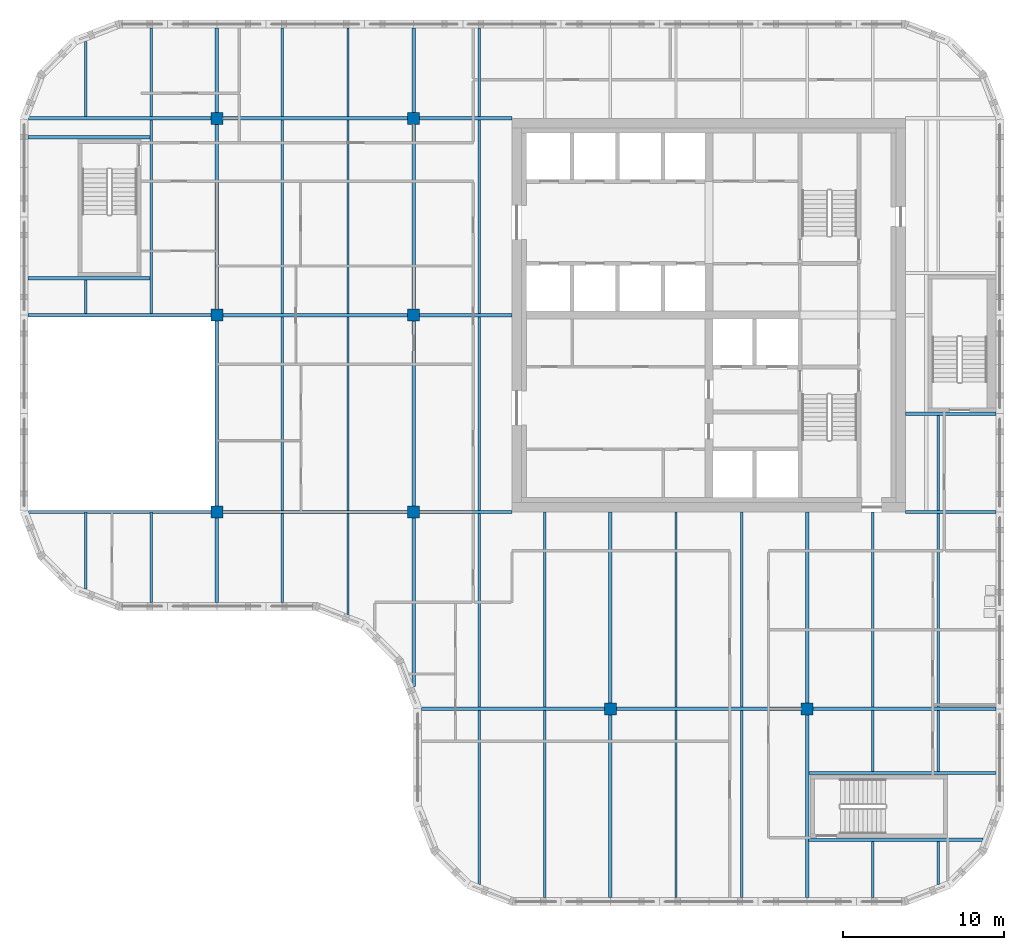
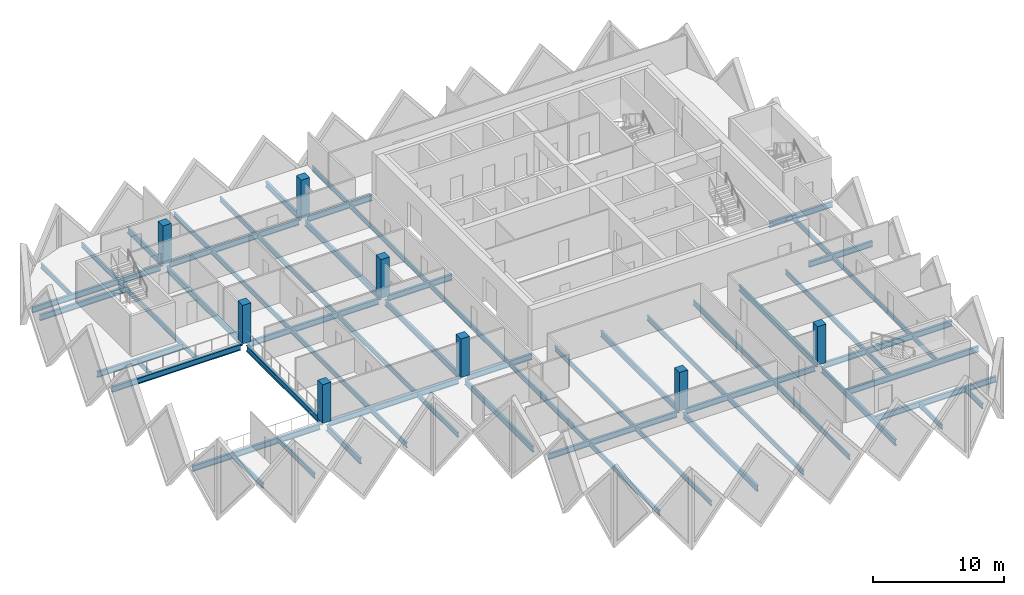
# One storey, part 1 of 12: 62 beams, 8 columns.
"""IFC4 building model written with IfcOpenShell, lengths in metres."""

from ifc_helpers import new_model, si_unit, direction, frame, origin, origin_2d, place, context, subcontext, project, spatial, rectangle, i_section, extrude, material, material_profile, profile_set, type_object, element, save


model = new_model("IFC4")

# Units and contexts
model_context = context("Model", 3, precision=1e-05, world=origin(), true_north=direction((0.0, 1.0)))
body_context = subcontext(model_context, "Body", "Model", "MODEL_VIEW")
ifc_project = project(units=[si_unit("LENGTHUNIT", "METRE"), si_unit("AREAUNIT", "SQUARE_METRE"), si_unit("VOLUMEUNIT", "CUBIC_METRE"), si_unit("PLANEANGLEUNIT", "RADIAN"), si_unit("MASSUNIT", "GRAM", prefix="KILO")], contexts=[model_context])

# Site, building, storey
site_placement = place(None, origin())
site = spatial("IfcSite", under=ifc_project, at=site_placement, CompositionType="ELEMENT")
building_placement = place(site_placement, origin())
building = spatial("IfcBuilding", under=site, at=building_placement, Name="Tessera Gate Towers", CompositionType="ELEMENT")
storey_placement = place(building_placement, frame((0.0, 0.0, 178.199951171875)))
storey = spatial("IfcBuildingStorey", under=building, at=storey_placement, Name="L44", CompositionType="ELEMENT", Elevation=178.199951171875)

# Columns
ifc_material_1 = material(Name="Concrete C70/85", Category="concrete")
ifc_material_profile_1 = material_profile(ifc_material_1, rectangle(XDim=0.75, YDim=0.75, at=origin_2d()), Name="RC 750x750")
ifc_profile_set_1 = profile_set([ifc_material_profile_1], Name="Concrete C70/85")
column_type = type_object("IfcColumnType", Name="COLUMN RC 750x750", PredefinedType="COLUMN", material=ifc_profile_set_1)
for number, where, z_axis, x_axis, name in (
    (1, (12.199951171875, 24.39990234375, 0.0), (0.0, 0.0, 1.0), (1.0, 0.0, 0.0), "T1-COL-2C-L44"),
    (2, (12.199951171875, 36.60009765625, 0.0), (0.0, 0.0, 1.0), (1.0, 0.0, 0.0), "T1-COL-2D-L44"),
    (3, (12.199951171875, 48.800048828125, 0.0), (0.0, 0.0, 1.0), (1.0, 0.0, 0.0), "T1-COL-2E-L44"),
    (4, (24.39990234375, 24.39990234375, 0.0), (0.0, 0.0, 1.0), (1.0, 0.0, 0.0), "T1-COL-3C-L44"),
    (5, (24.39990234375, 36.60009765625, 0.0), (0.0, 0.0, 1.0), (1.0, 0.0, 0.0), "T1-COL-3D-L44"),
    (6, (24.39990234375, 48.800048828125, 0.0), (0.0, 0.0, 1.0), (1.0, 0.0, 0.0), "T1-COL-3E-L44"),
    (7, (36.60009765625, 12.199951171875, 0.0), (0.0, 0.0, 1.0), (1.0, 0.0, 0.0), "T1-COL-4B-L44"),
    (8, (48.800048828125, 12.199951171875, 0.0), (0.0, 0.0, 1.0), (1.0, 0.0, 0.0), "T1-COL-5B-L44"),
):
    element("IfcColumn", number, at=place(storey_placement, frame(where, z_axis=z_axis, x_axis=x_axis)), inside=storey, type_object=column_type, Name=name, PredefinedType="COLUMN", context=body_context, shape_type="SweptSolid", body=[
        extrude(rectangle(XDim=0.75, YDim=0.75, at=origin_2d()), origin(), (0.0, 0.0, 1.0), 3.60009765625),
    ])

# Beams
ifc_material_2 = material(Name="Steel 350W", Category="steel")
ifc_material_profile_2 = material_profile(ifc_material_2, i_section(OverallWidth=0.208984375, OverallDepth=0.532958984375, WebThickness=0.01025390625, FlangeThickness=0.015625, at=origin_2d()), Name="W530x92")
ifc_profile_set_2 = profile_set([ifc_material_profile_2], Name="Steel 350W")
beam_type_1 = type_object("IfcBeamType", Name="FLOOR GIRDER W530x92", PredefinedType="BEAM", material=ifc_profile_set_2)
beam_1_placement = place(storey_placement, frame((24.89892578125, 12.199951171875, -0.466552734375), z_axis=(1.0, 0.0, 0.0), x_axis=(0.0, 1.0, 0.0)))
element("IfcBeam", 9, at=beam_1_placement, inside=storey, type_object=beam_type_1, Name="T1-GD-L44-4812", PredefinedType="BEAM", context=body_context, shape_type="SweptSolid", body=[
    extrude(i_section(OverallWidth=0.208984375, OverallDepth=0.532958984375, WebThickness=0.01025390625, FlangeThickness=0.015625, at=origin_2d()), origin(), (0.0, 0.0, 1.0), 11.326171875),
])
beam_2_placement = place(storey_placement, frame((36.97509765625, 12.199951171875, -0.466552734375), z_axis=(1.0, 0.0, 0.0), x_axis=(0.0, 1.0, 0.0)))
element("IfcBeam", 10, at=beam_2_placement, inside=storey, type_object=beam_type_1, Name="T1-GD-L44-4813", PredefinedType="BEAM", context=body_context, shape_type="SweptSolid", body=[
    extrude(i_section(OverallWidth=0.208984375, OverallDepth=0.532958984375, WebThickness=0.01025390625, FlangeThickness=0.015625, at=origin_2d()), origin(), (0.0, 0.0, 1.0), 11.449951171875),
])
beam_3_placement = place(storey_placement, frame((49.175048828125, 12.199951171875, -0.466552734375), z_axis=(1.0, 0.0, 0.0), x_axis=(0.0, 1.0, 0.0)))
element("IfcBeam", 11, at=beam_3_placement, inside=storey, type_object=beam_type_1, Name="T1-GD-L44-4814", PredefinedType="BEAM", context=body_context, shape_type="SweptSolid", body=[
    extrude(i_section(OverallWidth=0.208984375, OverallDepth=0.532958984375, WebThickness=0.01025390625, FlangeThickness=0.015625, at=origin_2d()), origin(), (0.0, 0.0, 1.0), 11.325927734375),
])
beam_4_placement = place(storey_placement, frame((0.534912109375, 24.39990234375, -0.466552734375), z_axis=(1.0, 0.0, 0.0), x_axis=(0.0, 1.0, 0.0)))
element("IfcBeam", 12, at=beam_4_placement, inside=storey, type_object=beam_type_1, Name="T1-GD-L44-4815", PredefinedType="BEAM", context=body_context, shape_type="SweptSolid", body=[
    extrude(i_section(OverallWidth=0.208984375, OverallDepth=0.532958984375, WebThickness=0.01025390625, FlangeThickness=0.015625, at=origin_2d()), origin(), (0.0, 0.0, 1.0), 11.2900390625),
])
beam_5_placement = place(storey_placement, frame((12.574951171875, 24.39990234375, -0.466552734375), z_axis=(1.0, 0.0, 0.0), x_axis=(0.0, 1.0, 0.0)))
element("IfcBeam", 13, at=beam_5_placement, inside=storey, type_object=beam_type_1, Name="T1-GD-L44-4816", PredefinedType="BEAM", context=body_context, shape_type="SweptSolid", body=[
    extrude(i_section(OverallWidth=0.208984375, OverallDepth=0.532958984375, WebThickness=0.01025390625, FlangeThickness=0.015625, at=origin_2d()), origin(), (0.0, 0.0, 1.0), 11.449951171875),
])
beam_6_placement = place(storey_placement, frame((24.77490234375, 24.39990234375, -0.466552734375), z_axis=(1.0, 0.0, 0.0), x_axis=(0.0, 1.0, 0.0)))
element("IfcBeam", 14, at=beam_6_placement, inside=storey, type_object=beam_type_1, Name="T1-GD-L44-4817", PredefinedType="BEAM", context=body_context, shape_type="SweptSolid", body=[
    extrude(i_section(OverallWidth=0.208984375, OverallDepth=0.532958984375, WebThickness=0.01025390625, FlangeThickness=0.015625, at=origin_2d()), origin(), (0.0, 0.0, 1.0), 5.72412109375),
])
beam_7_placement = place(storey_placement, frame((54.90087890625, 24.39990234375, -0.466552734375), z_axis=(1.0, 0.0, 0.0), x_axis=(0.0, 1.0, 0.0)))
element("IfcBeam", 15, at=beam_7_placement, inside=storey, type_object=beam_type_1, Name="T1-GD-L44-4818", PredefinedType="BEAM", context=body_context, shape_type="SweptSolid", body=[
    extrude(i_section(OverallWidth=0.208984375, OverallDepth=0.532958984375, WebThickness=0.01025390625, FlangeThickness=0.015625, at=origin_2d()), origin(), (0.0, 0.0, 1.0), 5.60009765625),
])
beam_8_placement = place(storey_placement, frame((0.4990234375, 36.60009765625, -0.466552734375), z_axis=(1.0, 0.0, 0.0), x_axis=(0.0, 1.0, 0.0)))
element("IfcBeam", 16, at=beam_8_placement, inside=storey, type_object=beam_type_1, Name="T1-GD-L44-4819", PredefinedType="BEAM", context=body_context, shape_type="SweptSolid", body=[
    extrude(i_section(OverallWidth=0.208984375, OverallDepth=0.532958984375, WebThickness=0.01025390625, FlangeThickness=0.015625, at=origin_2d()), origin(), (0.0, 0.0, 1.0), 11.325927734375),
])
beam_9_placement = place(storey_placement, frame((12.574951171875, 36.60009765625, -0.466552734375), z_axis=(1.0, 0.0, 0.0), x_axis=(0.0, 1.0, 0.0)))
element("IfcBeam", 17, at=beam_9_placement, inside=storey, type_object=beam_type_1, Name="T1-GD-L44-4820", PredefinedType="BEAM", context=body_context, shape_type="SweptSolid", body=[
    extrude(i_section(OverallWidth=0.208984375, OverallDepth=0.532958984375, WebThickness=0.01025390625, FlangeThickness=0.015625, at=origin_2d()), origin(), (0.0, 0.0, 1.0), 11.449951171875),
])
beam_10_placement = place(storey_placement, frame((24.77490234375, 36.60009765625, -0.466552734375), z_axis=(1.0, 0.0, 0.0), x_axis=(0.0, 1.0, 0.0)))
element("IfcBeam", 18, at=beam_10_placement, inside=storey, type_object=beam_type_1, Name="T1-GD-L44-4821", PredefinedType="BEAM", context=body_context, shape_type="SweptSolid", body=[
    extrude(i_section(OverallWidth=0.208984375, OverallDepth=0.532958984375, WebThickness=0.01025390625, FlangeThickness=0.015625, at=origin_2d()), origin(), (0.0, 0.0, 1.0), 5.72607421875),
])
beam_11_placement = place(storey_placement, frame((0.534912109375, 48.800048828125, -0.466552734375), z_axis=(1.0, 0.0, 0.0), x_axis=(0.0, 1.0, 0.0)))
element("IfcBeam", 19, at=beam_11_placement, inside=storey, type_object=beam_type_1, Name="T1-GD-L44-4823", PredefinedType="BEAM", context=body_context, shape_type="SweptSolid", body=[
    extrude(i_section(OverallWidth=0.208984375, OverallDepth=0.532958984375, WebThickness=0.01025390625, FlangeThickness=0.015625, at=origin_2d()), origin(), (0.0, 0.0, 1.0), 11.2900390625),
])
beam_12_placement = place(storey_placement, frame((12.574951171875, 48.800048828125, -0.466552734375), z_axis=(1.0, 0.0, 0.0), x_axis=(0.0, 1.0, 0.0)))
element("IfcBeam", 20, at=beam_12_placement, inside=storey, type_object=beam_type_1, Name="T1-GD-L44-4824", PredefinedType="BEAM", context=body_context, shape_type="SweptSolid", body=[
    extrude(i_section(OverallWidth=0.208984375, OverallDepth=0.532958984375, WebThickness=0.01025390625, FlangeThickness=0.015625, at=origin_2d()), origin(), (0.0, 0.0, 1.0), 11.449951171875),
])
beam_13_placement = place(storey_placement, frame((24.77490234375, 48.800048828125, -0.466552734375), z_axis=(1.0, 0.0, 0.0), x_axis=(0.0, 1.0, 0.0)))
element("IfcBeam", 21, at=beam_13_placement, inside=storey, type_object=beam_type_1, Name="T1-GD-L44-4825", PredefinedType="BEAM", context=body_context, shape_type="SweptSolid", body=[
    extrude(i_section(OverallWidth=0.208984375, OverallDepth=0.532958984375, WebThickness=0.01025390625, FlangeThickness=0.015625, at=origin_2d()), origin(), (0.0, 0.0, 1.0), 5.72412109375),
])
beam_14_placement = place(storey_placement, frame((12.199951171875, 18.799072265625, -0.466552734375), z_axis=(0.0, 1.0, 0.0), x_axis=(-1.0, 0.0, 0.0)))
element("IfcBeam", 22, at=beam_14_placement, inside=storey, type_object=beam_type_1, Name="T1-GD-L44-4827", PredefinedType="BEAM", context=body_context, shape_type="SweptSolid", body=[
    extrude(i_section(OverallWidth=0.208984375, OverallDepth=0.532958984375, WebThickness=0.01025390625, FlangeThickness=0.015625, at=origin_2d()), origin(), (0.0, 0.0, 1.0), 5.225830078125),
])
beam_15_placement = place(storey_placement, frame((12.199951171875, 24.77490234375, -0.466552734375), z_axis=(0.0, 1.0, 0.0), x_axis=(-1.0, 0.0, 0.0)))
element("IfcBeam", 23, at=beam_15_placement, inside=storey, type_object=beam_type_1, Name="T1-GD-L44-4828", PredefinedType="BEAM", context=body_context, shape_type="SweptSolid", body=[
    extrude(i_section(OverallWidth=0.208984375, OverallDepth=0.532958984375, WebThickness=0.01025390625, FlangeThickness=0.015625, at=origin_2d()), origin(), (0.0, 0.0, 1.0), 11.4501953125),
])
beam_16_placement = place(storey_placement, frame((12.199951171875, 36.97509765625, -0.466552734375), z_axis=(0.0, 1.0, 0.0), x_axis=(-1.0, 0.0, 0.0)))
element("IfcBeam", 24, at=beam_16_placement, inside=storey, type_object=beam_type_1, Name="T1-GD-L44-4829", PredefinedType="BEAM", context=body_context, shape_type="SweptSolid", body=[
    extrude(i_section(OverallWidth=0.208984375, OverallDepth=0.532958984375, WebThickness=0.01025390625, FlangeThickness=0.015625, at=origin_2d()), origin(), (0.0, 0.0, 1.0), 11.449951171875),
])
beam_17_placement = place(storey_placement, frame((12.199951171875, 49.175048828125, -0.466552734375), z_axis=(0.0, 1.0, 0.0), x_axis=(-1.0, 0.0, 0.0)))
element("IfcBeam", 25, at=beam_17_placement, inside=storey, type_object=beam_type_1, Name="T1-GD-L44-4830", PredefinedType="BEAM", context=body_context, shape_type="SweptSolid", body=[
    extrude(i_section(OverallWidth=0.208984375, OverallDepth=0.532958984375, WebThickness=0.01025390625, FlangeThickness=0.015625, at=origin_2d()), origin(), (0.0, 0.0, 1.0), 5.225830078125),
])
beam_18_placement = place(storey_placement, frame((24.39990234375, 13.58642578125, -0.466552734375), z_axis=(0.0, 1.0, 0.0), x_axis=(-1.0, 0.0, 0.0)))
element("IfcBeam", 26, at=beam_18_placement, inside=storey, type_object=beam_type_1, Name="T1-GD-L44-4831", PredefinedType="BEAM", context=body_context, shape_type="SweptSolid", body=[
    extrude(i_section(OverallWidth=0.208984375, OverallDepth=0.532958984375, WebThickness=0.01025390625, FlangeThickness=0.015625, at=origin_2d()), origin(), (0.0, 0.0, 1.0), 10.4384765625),
])
beam_19_placement = place(storey_placement, frame((24.39990234375, 24.77490234375, -0.466552734375), z_axis=(0.0, 1.0, 0.0), x_axis=(-1.0, 0.0, 0.0)))
element("IfcBeam", 27, at=beam_19_placement, inside=storey, type_object=beam_type_1, Name="T1-GD-L44-4832", PredefinedType="BEAM", context=body_context, shape_type="SweptSolid", body=[
    extrude(i_section(OverallWidth=0.208984375, OverallDepth=0.532958984375, WebThickness=0.01025390625, FlangeThickness=0.015625, at=origin_2d()), origin(), (0.0, 0.0, 1.0), 11.4501953125),
])
beam_20_placement = place(storey_placement, frame((24.39990234375, 36.97509765625, -0.466552734375), z_axis=(0.0, 1.0, 0.0), x_axis=(-1.0, 0.0, 0.0)))
element("IfcBeam", 28, at=beam_20_placement, inside=storey, type_object=beam_type_1, Name="T1-GD-L44-4833", PredefinedType="BEAM", context=body_context, shape_type="SweptSolid", body=[
    extrude(i_section(OverallWidth=0.208984375, OverallDepth=0.532958984375, WebThickness=0.01025390625, FlangeThickness=0.015625, at=origin_2d()), origin(), (0.0, 0.0, 1.0), 11.449951171875),
])
beam_21_placement = place(storey_placement, frame((24.39990234375, 49.175048828125, -0.466552734375), z_axis=(0.0, 1.0, 0.0), x_axis=(-1.0, 0.0, 0.0)))
element("IfcBeam", 29, at=beam_21_placement, inside=storey, type_object=beam_type_1, Name="T1-GD-L44-4834", PredefinedType="BEAM", context=body_context, shape_type="SweptSolid", body=[
    extrude(i_section(OverallWidth=0.208984375, OverallDepth=0.532958984375, WebThickness=0.01025390625, FlangeThickness=0.015625, at=origin_2d()), origin(), (0.0, 0.0, 1.0), 5.225830078125),
])
beam_22_placement = place(storey_placement, frame((36.60009765625, 0.4990234375, -0.466552734375), z_axis=(0.0, 1.0, 0.0), x_axis=(-1.0, 0.0, 0.0)))
element("IfcBeam", 30, at=beam_22_placement, inside=storey, type_object=beam_type_1, Name="T1-GD-L44-4835", PredefinedType="BEAM", context=body_context, shape_type="SweptSolid", body=[
    extrude(i_section(OverallWidth=0.208984375, OverallDepth=0.532958984375, WebThickness=0.01025390625, FlangeThickness=0.015625, at=origin_2d()), origin(), (0.0, 0.0, 1.0), 11.325927734375),
])
beam_23_placement = place(storey_placement, frame((36.60009765625, 12.574951171875, -0.466552734375), z_axis=(0.0, 1.0, 0.0), x_axis=(-1.0, 0.0, 0.0)))
element("IfcBeam", 31, at=beam_23_placement, inside=storey, type_object=beam_type_1, Name="T1-GD-L44-4836", PredefinedType="BEAM", context=body_context, shape_type="SweptSolid", body=[
    extrude(i_section(OverallWidth=0.208984375, OverallDepth=0.532958984375, WebThickness=0.01025390625, FlangeThickness=0.015625, at=origin_2d()), origin(), (0.0, 0.0, 1.0), 11.824951171875),
])
beam_24_placement = place(storey_placement, frame((48.800048828125, 0.4990234375, -0.466552734375), z_axis=(0.0, 1.0, 0.0), x_axis=(-1.0, 0.0, 0.0)))
element("IfcBeam", 32, at=beam_24_placement, inside=storey, type_object=beam_type_1, Name="T1-GD-L44-4837", PredefinedType="BEAM", context=body_context, shape_type="SweptSolid", body=[
    extrude(i_section(OverallWidth=0.208984375, OverallDepth=0.532958984375, WebThickness=0.01025390625, FlangeThickness=0.015625, at=origin_2d()), origin(), (0.0, 0.0, 1.0), 11.325927734375),
])
beam_25_placement = place(storey_placement, frame((48.800048828125, 12.574951171875, -0.466552734375), z_axis=(0.0, 1.0, 0.0), x_axis=(-1.0, 0.0, 0.0)))
element("IfcBeam", 33, at=beam_25_placement, inside=storey, type_object=beam_type_1, Name="T1-GD-L44-4838", PredefinedType="BEAM", context=body_context, shape_type="SweptSolid", body=[
    extrude(i_section(OverallWidth=0.208984375, OverallDepth=0.532958984375, WebThickness=0.01025390625, FlangeThickness=0.015625, at=origin_2d()), origin(), (0.0, 0.0, 1.0), 11.824951171875),
])
for number, where, z_axis, x_axis, name in (
    (34, (0.4990234375, 38.8798828125, -0.466552734375), (1.0, 0.0, 0.0), (0.0, 1.0, 0.0), "T1-GD-L44-4839"),
    (35, (0.4990234375, 47.6201171875, -0.466552734375), (1.0, 0.0, 0.0), (0.0, 1.0, 0.0), "T1-GD-L44-4840"),
):
    element("IfcBeam", number, at=place(storey_placement, frame(where, z_axis=z_axis, x_axis=x_axis)), inside=storey, type_object=beam_type_1, Name=name, PredefinedType="BEAM", context=body_context, shape_type="SweptSolid", body=[
        extrude(i_section(OverallWidth=0.208984375, OverallDepth=0.532958984375, WebThickness=0.01025390625, FlangeThickness=0.015625, at=origin_2d()), origin(), (0.0, 0.0, 1.0), 7.557861328125),
    ])
beam_26_placement = place(storey_placement, frame((48.87646484375, 4.080078125, -0.466552734375), z_axis=(1.0, 0.0, 0.0), x_axis=(0.0, 1.0, 0.0)))
element("IfcBeam", 36, at=beam_26_placement, inside=storey, type_object=beam_type_1, Name="T1-GD-L44-4841", PredefinedType="BEAM", context=body_context, shape_type="SweptSolid", body=[
    extrude(i_section(OverallWidth=0.208984375, OverallDepth=0.532958984375, WebThickness=0.01025390625, FlangeThickness=0.015625, at=origin_2d()), origin(), (0.0, 0.0, 1.0), 10.809326171875),
])
beam_27_placement = place(storey_placement, frame((48.87646484375, 8.219970703125, -0.466552734375), z_axis=(1.0, 0.0, 0.0), x_axis=(0.0, 1.0, 0.0)))
element("IfcBeam", 37, at=beam_27_placement, inside=storey, type_object=beam_type_1, Name="T1-GD-L44-4842", PredefinedType="BEAM", context=body_context, shape_type="SweptSolid", body=[
    extrude(i_section(OverallWidth=0.208984375, OverallDepth=0.532958984375, WebThickness=0.01025390625, FlangeThickness=0.015625, at=origin_2d()), origin(), (0.0, 0.0, 1.0), 11.62451171875),
])
beam_28_placement = place(storey_placement, frame((54.89892578125, 30.47998046875, -0.466552734375), z_axis=(1.0, 0.0, 0.0), x_axis=(0.0, 1.0, 0.0)))
element("IfcBeam", 38, at=beam_28_placement, inside=storey, type_object=beam_type_1, Name="T1-GD-L44-4843", PredefinedType="BEAM", context=body_context, shape_type="SweptSolid", body=[
    extrude(i_section(OverallWidth=0.208984375, OverallDepth=0.532958984375, WebThickness=0.01025390625, FlangeThickness=0.015625, at=origin_2d()), origin(), (0.0, 0.0, 1.0), 5.60205078125),
])
ifc_material_3 = material(Name="Steel 350W", Category="steel")
ifc_material_profile_3 = material_profile(ifc_material_3, i_section(OverallWidth=0.153076171875, OverallDepth=0.455078125, WebThickness=0.008056640625, FlangeThickness=0.01318359375, at=origin_2d()), Name="W460x60")
ifc_profile_set_3 = profile_set([ifc_material_profile_3], Name="Steel 350W")
beam_type_2 = type_object("IfcBeamType", Name="FLOOR SECONDARY W460x60", PredefinedType="BEAM", material=ifc_profile_set_3)
beam_29_placement = place(storey_placement, frame((4.066650390625, 19.620361328125, -0.427490234375), z_axis=(0.0, 1.0, 0.0), x_axis=(-1.0, 0.0, 0.0)))
element("IfcBeam", 39, at=beam_29_placement, inside=storey, type_object=beam_type_2, Name="T1-BM-L44-4846", PredefinedType="BEAM", context=body_context, shape_type="SweptSolid", body=[
    extrude(i_section(OverallWidth=0.153076171875, OverallDepth=0.455078125, WebThickness=0.008056640625, FlangeThickness=0.01318359375, at=origin_2d()), origin(), (0.0, 0.0, 1.0), 4.779541015625),
])
beam_30_placement = place(storey_placement, frame((4.066650390625, 36.70458984375, -0.427490234375), z_axis=(0.0, 1.0, 0.0), x_axis=(-1.0, 0.0, 0.0)))
element("IfcBeam", 40, at=beam_30_placement, inside=storey, type_object=beam_type_2, Name="T1-BM-L44-4847", PredefinedType="BEAM", context=body_context, shape_type="SweptSolid", body=[
    extrude(i_section(OverallWidth=0.153076171875, OverallDepth=0.455078125, WebThickness=0.008056640625, FlangeThickness=0.01318359375, at=origin_2d()), origin(), (0.0, 0.0, 1.0), 2.07080078125),
])
beam_31_placement = place(storey_placement, frame((4.066650390625, 48.904541015625, -0.427490234375), z_axis=(0.0, 1.0, 0.0), x_axis=(-1.0, 0.0, 0.0)))
element("IfcBeam", 41, at=beam_31_placement, inside=storey, type_object=beam_type_2, Name="T1-BM-L44-4848", PredefinedType="BEAM", context=body_context, shape_type="SweptSolid", body=[
    extrude(i_section(OverallWidth=0.153076171875, OverallDepth=0.455078125, WebThickness=0.008056640625, FlangeThickness=0.01318359375, at=origin_2d()), origin(), (0.0, 0.0, 1.0), 4.675048828125),
])
beam_32_placement = place(storey_placement, frame((8.13330078125, 18.800048828125, -0.427490234375), z_axis=(0.0, 1.0, 0.0), x_axis=(-1.0, 0.0, 0.0)))
element("IfcBeam", 42, at=beam_32_placement, inside=storey, type_object=beam_type_2, Name="T1-BM-L44-4849", PredefinedType="BEAM", context=body_context, shape_type="SweptSolid", body=[
    extrude(i_section(OverallWidth=0.153076171875, OverallDepth=0.455078125, WebThickness=0.008056640625, FlangeThickness=0.01318359375, at=origin_2d()), origin(), (0.0, 0.0, 1.0), 5.599853515625),
])
beam_33_placement = place(storey_placement, frame((8.13330078125, 36.70458984375, -0.427490234375), z_axis=(0.0, 1.0, 0.0), x_axis=(-1.0, 0.0, 0.0)))
element("IfcBeam", 43, at=beam_33_placement, inside=storey, type_object=beam_type_2, Name="T1-BM-L44-4850", PredefinedType="BEAM", context=body_context, shape_type="SweptSolid", body=[
    extrude(i_section(OverallWidth=0.153076171875, OverallDepth=0.455078125, WebThickness=0.008056640625, FlangeThickness=0.01318359375, at=origin_2d()), origin(), (0.0, 0.0, 1.0), 11.990966796875),
])
for number, where, z_axis, x_axis, name in (
    (44, (8.13330078125, 48.904541015625, -0.427490234375), (0.0, 1.0, 0.0), (-1.0, 0.0, 0.0), "T1-BM-L44-4851"),
    (45, (16.2666015625, 18.800048828125, -0.427490234375), (0.0, 1.0, 0.0), (-1.0, 0.0, 0.0), "T1-BM-L44-4852"),
):
    element("IfcBeam", number, at=place(storey_placement, frame(where, z_axis=z_axis, x_axis=x_axis)), inside=storey, type_object=beam_type_2, Name=name, PredefinedType="BEAM", context=body_context, shape_type="SweptSolid", body=[
        extrude(i_section(OverallWidth=0.153076171875, OverallDepth=0.455078125, WebThickness=0.008056640625, FlangeThickness=0.01318359375, at=origin_2d()), origin(), (0.0, 0.0, 1.0), 5.495361328125),
    ])
beam_34_placement = place(storey_placement, frame((16.2666015625, 24.50439453125, -0.427490234375), z_axis=(0.0, 1.0, 0.0), x_axis=(-1.0, 0.0, 0.0)))
element("IfcBeam", 46, at=beam_34_placement, inside=storey, type_object=beam_type_2, Name="T1-BM-L44-4853", PredefinedType="BEAM", context=body_context, shape_type="SweptSolid", body=[
    extrude(i_section(OverallWidth=0.153076171875, OverallDepth=0.455078125, WebThickness=0.008056640625, FlangeThickness=0.01318359375, at=origin_2d()), origin(), (0.0, 0.0, 1.0), 11.9912109375),
])
beam_35_placement = place(storey_placement, frame((16.2666015625, 36.70458984375, -0.427490234375), z_axis=(0.0, 1.0, 0.0), x_axis=(-1.0, 0.0, 0.0)))
element("IfcBeam", 47, at=beam_35_placement, inside=storey, type_object=beam_type_2, Name="T1-BM-L44-4854", PredefinedType="BEAM", context=body_context, shape_type="SweptSolid", body=[
    extrude(i_section(OverallWidth=0.153076171875, OverallDepth=0.455078125, WebThickness=0.008056640625, FlangeThickness=0.01318359375, at=origin_2d()), origin(), (0.0, 0.0, 1.0), 11.990966796875),
])
beam_36_placement = place(storey_placement, frame((16.2666015625, 48.904541015625, -0.427490234375), z_axis=(0.0, 1.0, 0.0), x_axis=(-1.0, 0.0, 0.0)))
element("IfcBeam", 48, at=beam_36_placement, inside=storey, type_object=beam_type_2, Name="T1-BM-L44-4855", PredefinedType="BEAM", context=body_context, shape_type="SweptSolid", body=[
    extrude(i_section(OverallWidth=0.153076171875, OverallDepth=0.455078125, WebThickness=0.008056640625, FlangeThickness=0.01318359375, at=origin_2d()), origin(), (0.0, 0.0, 1.0), 5.495361328125),
])
beam_37_placement = place(storey_placement, frame((20.333251953125, 18.051513671875, -0.427490234375), z_axis=(0.0, 1.0, 0.0), x_axis=(-1.0, 0.0, 0.0)))
element("IfcBeam", 49, at=beam_37_placement, inside=storey, type_object=beam_type_2, Name="T1-BM-L44-4856", PredefinedType="BEAM", context=body_context, shape_type="SweptSolid", body=[
    extrude(i_section(OverallWidth=0.153076171875, OverallDepth=0.455078125, WebThickness=0.008056640625, FlangeThickness=0.01318359375, at=origin_2d()), origin(), (0.0, 0.0, 1.0), 6.243896484375),
])
beam_38_placement = place(storey_placement, frame((20.333251953125, 24.50439453125, -0.427490234375), z_axis=(0.0, 1.0, 0.0), x_axis=(-1.0, 0.0, 0.0)))
element("IfcBeam", 50, at=beam_38_placement, inside=storey, type_object=beam_type_2, Name="T1-BM-L44-4857", PredefinedType="BEAM", context=body_context, shape_type="SweptSolid", body=[
    extrude(i_section(OverallWidth=0.153076171875, OverallDepth=0.455078125, WebThickness=0.008056640625, FlangeThickness=0.01318359375, at=origin_2d()), origin(), (0.0, 0.0, 1.0), 11.9912109375),
])
beam_39_placement = place(storey_placement, frame((20.333251953125, 36.70458984375, -0.427490234375), z_axis=(0.0, 1.0, 0.0), x_axis=(-1.0, 0.0, 0.0)))
element("IfcBeam", 51, at=beam_39_placement, inside=storey, type_object=beam_type_2, Name="T1-BM-L44-4858", PredefinedType="BEAM", context=body_context, shape_type="SweptSolid", body=[
    extrude(i_section(OverallWidth=0.153076171875, OverallDepth=0.455078125, WebThickness=0.008056640625, FlangeThickness=0.01318359375, at=origin_2d()), origin(), (0.0, 0.0, 1.0), 11.990966796875),
])
beam_40_placement = place(storey_placement, frame((20.333251953125, 48.904541015625, -0.427490234375), z_axis=(0.0, 1.0, 0.0), x_axis=(-1.0, 0.0, 0.0)))
element("IfcBeam", 52, at=beam_40_placement, inside=storey, type_object=beam_type_2, Name="T1-BM-L44-4859", PredefinedType="BEAM", context=body_context, shape_type="SweptSolid", body=[
    extrude(i_section(OverallWidth=0.153076171875, OverallDepth=0.455078125, WebThickness=0.008056640625, FlangeThickness=0.01318359375, at=origin_2d()), origin(), (0.0, 0.0, 1.0), 5.495361328125),
])
beam_41_placement = place(storey_placement, frame((28.466796875, 1.3203125, -0.427490234375), z_axis=(0.0, 1.0, 0.0), x_axis=(-1.0, 0.0, 0.0)))
element("IfcBeam", 53, at=beam_41_placement, inside=storey, type_object=beam_type_2, Name="T1-BM-L44-4860", PredefinedType="BEAM", context=body_context, shape_type="SweptSolid", body=[
    extrude(i_section(OverallWidth=0.153076171875, OverallDepth=0.455078125, WebThickness=0.008056640625, FlangeThickness=0.01318359375, at=origin_2d()), origin(), (0.0, 0.0, 1.0), 10.775146484375),
])
beam_42_placement = place(storey_placement, frame((28.466796875, 12.304443359375, -0.427490234375), z_axis=(0.0, 1.0, 0.0), x_axis=(-1.0, 0.0, 0.0)))
element("IfcBeam", 54, at=beam_42_placement, inside=storey, type_object=beam_type_2, Name="T1-BM-L44-4861", PredefinedType="BEAM", context=body_context, shape_type="SweptSolid", body=[
    extrude(i_section(OverallWidth=0.153076171875, OverallDepth=0.455078125, WebThickness=0.008056640625, FlangeThickness=0.01318359375, at=origin_2d()), origin(), (0.0, 0.0, 1.0), 11.990966796875),
])
beam_43_placement = place(storey_placement, frame((28.466796875, 24.50439453125, -0.427490234375), z_axis=(0.0, 1.0, 0.0), x_axis=(-1.0, 0.0, 0.0)))
element("IfcBeam", 55, at=beam_43_placement, inside=storey, type_object=beam_type_2, Name="T1-BM-L44-4862", PredefinedType="BEAM", context=body_context, shape_type="SweptSolid", body=[
    extrude(i_section(OverallWidth=0.153076171875, OverallDepth=0.455078125, WebThickness=0.008056640625, FlangeThickness=0.01318359375, at=origin_2d()), origin(), (0.0, 0.0, 1.0), 11.9912109375),
])
beam_44_placement = place(storey_placement, frame((28.466796875, 36.70458984375, -0.427490234375), z_axis=(0.0, 1.0, 0.0), x_axis=(-1.0, 0.0, 0.0)))
element("IfcBeam", 56, at=beam_44_placement, inside=storey, type_object=beam_type_2, Name="T1-BM-L44-4863", PredefinedType="BEAM", context=body_context, shape_type="SweptSolid", body=[
    extrude(i_section(OverallWidth=0.153076171875, OverallDepth=0.455078125, WebThickness=0.008056640625, FlangeThickness=0.01318359375, at=origin_2d()), origin(), (0.0, 0.0, 1.0), 11.990966796875),
])
beam_45_placement = place(storey_placement, frame((28.466796875, 48.904541015625, -0.427490234375), z_axis=(0.0, 1.0, 0.0), x_axis=(-1.0, 0.0, 0.0)))
element("IfcBeam", 57, at=beam_45_placement, inside=storey, type_object=beam_type_2, Name="T1-BM-L44-4864", PredefinedType="BEAM", context=body_context, shape_type="SweptSolid", body=[
    extrude(i_section(OverallWidth=0.153076171875, OverallDepth=0.455078125, WebThickness=0.008056640625, FlangeThickness=0.01318359375, at=origin_2d()), origin(), (0.0, 0.0, 1.0), 5.495361328125),
])
beam_46_placement = place(storey_placement, frame((32.533203125, 0.5, -0.427490234375), z_axis=(0.0, 1.0, 0.0), x_axis=(-1.0, 0.0, 0.0)))
element("IfcBeam", 58, at=beam_46_placement, inside=storey, type_object=beam_type_2, Name="T1-BM-L44-4865", PredefinedType="BEAM", context=body_context, shape_type="SweptSolid", body=[
    extrude(i_section(OverallWidth=0.153076171875, OverallDepth=0.455078125, WebThickness=0.008056640625, FlangeThickness=0.01318359375, at=origin_2d()), origin(), (0.0, 0.0, 1.0), 11.595458984375),
])
beam_47_placement = place(storey_placement, frame((32.533203125, 12.304443359375, -0.427490234375), z_axis=(0.0, 1.0, 0.0), x_axis=(-1.0, 0.0, 0.0)))
element("IfcBeam", 59, at=beam_47_placement, inside=storey, type_object=beam_type_2, Name="T1-BM-L44-4866", PredefinedType="BEAM", context=body_context, shape_type="SweptSolid", body=[
    extrude(i_section(OverallWidth=0.153076171875, OverallDepth=0.455078125, WebThickness=0.008056640625, FlangeThickness=0.01318359375, at=origin_2d()), origin(), (0.0, 0.0, 1.0), 12.095458984375),
])
beam_48_placement = place(storey_placement, frame((40.666748046875, 0.5, -0.427490234375), z_axis=(0.0, 1.0, 0.0), x_axis=(-1.0, 0.0, 0.0)))
element("IfcBeam", 60, at=beam_48_placement, inside=storey, type_object=beam_type_2, Name="T1-BM-L44-4869", PredefinedType="BEAM", context=body_context, shape_type="SweptSolid", body=[
    extrude(i_section(OverallWidth=0.153076171875, OverallDepth=0.455078125, WebThickness=0.008056640625, FlangeThickness=0.01318359375, at=origin_2d()), origin(), (0.0, 0.0, 1.0), 11.595458984375),
])
beam_49_placement = place(storey_placement, frame((40.666748046875, 12.304443359375, -0.427490234375), z_axis=(0.0, 1.0, 0.0), x_axis=(-1.0, 0.0, 0.0)))
element("IfcBeam", 61, at=beam_49_placement, inside=storey, type_object=beam_type_2, Name="T1-BM-L44-4870", PredefinedType="BEAM", context=body_context, shape_type="SweptSolid", body=[
    extrude(i_section(OverallWidth=0.153076171875, OverallDepth=0.455078125, WebThickness=0.008056640625, FlangeThickness=0.01318359375, at=origin_2d()), origin(), (0.0, 0.0, 1.0), 12.095458984375),
])
beam_50_placement = place(storey_placement, frame((44.7333984375, 0.5, -0.427490234375), z_axis=(0.0, 1.0, 0.0), x_axis=(-1.0, 0.0, 0.0)))
element("IfcBeam", 62, at=beam_50_placement, inside=storey, type_object=beam_type_2, Name="T1-BM-L44-4872", PredefinedType="BEAM", context=body_context, shape_type="SweptSolid", body=[
    extrude(i_section(OverallWidth=0.153076171875, OverallDepth=0.455078125, WebThickness=0.008056640625, FlangeThickness=0.01318359375, at=origin_2d()), origin(), (0.0, 0.0, 1.0), 11.595458984375),
])
beam_51_placement = place(storey_placement, frame((44.7333984375, 12.304443359375, -0.427490234375), z_axis=(0.0, 1.0, 0.0), x_axis=(-1.0, 0.0, 0.0)))
element("IfcBeam", 63, at=beam_51_placement, inside=storey, type_object=beam_type_2, Name="T1-BM-L44-4873", PredefinedType="BEAM", context=body_context, shape_type="SweptSolid", body=[
    extrude(i_section(OverallWidth=0.153076171875, OverallDepth=0.455078125, WebThickness=0.008056640625, FlangeThickness=0.01318359375, at=origin_2d()), origin(), (0.0, 0.0, 1.0), 12.095458984375),
])
beam_52_placement = place(storey_placement, frame((52.86669921875, 0.5, -0.427490234375), z_axis=(0.0, 1.0, 0.0), x_axis=(-1.0, 0.0, 0.0)))
element("IfcBeam", 64, at=beam_52_placement, inside=storey, type_object=beam_type_2, Name="T1-BM-L44-4876", PredefinedType="BEAM", context=body_context, shape_type="SweptSolid", body=[
    extrude(i_section(OverallWidth=0.153076171875, OverallDepth=0.455078125, WebThickness=0.008056640625, FlangeThickness=0.01318359375, at=origin_2d()), origin(), (0.0, 0.0, 1.0), 3.4755859375),
])
beam_53_placement = place(storey_placement, frame((52.86669921875, 8.324462890625, -0.427490234375), z_axis=(0.0, 1.0, 0.0), x_axis=(-1.0, 0.0, 0.0)))
element("IfcBeam", 65, at=beam_53_placement, inside=storey, type_object=beam_type_2, Name="T1-BM-L44-4877", PredefinedType="BEAM", context=body_context, shape_type="SweptSolid", body=[
    extrude(i_section(OverallWidth=0.153076171875, OverallDepth=0.455078125, WebThickness=0.008056640625, FlangeThickness=0.01318359375, at=origin_2d()), origin(), (0.0, 0.0, 1.0), 3.77099609375),
])
beam_54_placement = place(storey_placement, frame((52.86669921875, 12.304443359375, -0.427490234375), z_axis=(0.0, 1.0, 0.0), x_axis=(-1.0, 0.0, 0.0)))
element("IfcBeam", 66, at=beam_54_placement, inside=storey, type_object=beam_type_2, Name="T1-BM-L44-4878", PredefinedType="BEAM", context=body_context, shape_type="SweptSolid", body=[
    extrude(i_section(OverallWidth=0.153076171875, OverallDepth=0.455078125, WebThickness=0.008056640625, FlangeThickness=0.01318359375, at=origin_2d()), origin(), (0.0, 0.0, 1.0), 12.095458984375),
])
beam_55_placement = place(storey_placement, frame((56.933349609375, 1.3203125, -0.427490234375), z_axis=(0.0, 1.0, 0.0), x_axis=(-1.0, 0.0, 0.0)))
element("IfcBeam", 67, at=beam_55_placement, inside=storey, type_object=beam_type_2, Name="T1-BM-L44-4880", PredefinedType="BEAM", context=body_context, shape_type="SweptSolid", body=[
    extrude(i_section(OverallWidth=0.153076171875, OverallDepth=0.455078125, WebThickness=0.008056640625, FlangeThickness=0.01318359375, at=origin_2d()), origin(), (0.0, 0.0, 1.0), 2.6552734375),
])
beam_56_placement = place(storey_placement, frame((56.933349609375, 8.324462890625, -0.427490234375), z_axis=(0.0, 1.0, 0.0), x_axis=(-1.0, 0.0, 0.0)))
element("IfcBeam", 68, at=beam_56_placement, inside=storey, type_object=beam_type_2, Name="T1-BM-L44-4881", PredefinedType="BEAM", context=body_context, shape_type="SweptSolid", body=[
    extrude(i_section(OverallWidth=0.153076171875, OverallDepth=0.455078125, WebThickness=0.008056640625, FlangeThickness=0.01318359375, at=origin_2d()), origin(), (0.0, 0.0, 1.0), 3.77099609375),
])
beam_57_placement = place(storey_placement, frame((56.933349609375, 12.304443359375, -0.427490234375), z_axis=(0.0, 1.0, 0.0), x_axis=(-1.0, 0.0, 0.0)))
element("IfcBeam", 69, at=beam_57_placement, inside=storey, type_object=beam_type_2, Name="T1-BM-L44-4882", PredefinedType="BEAM", context=body_context, shape_type="SweptSolid", body=[
    extrude(i_section(OverallWidth=0.153076171875, OverallDepth=0.455078125, WebThickness=0.008056640625, FlangeThickness=0.01318359375, at=origin_2d()), origin(), (0.0, 0.0, 1.0), 11.990966796875),
])
beam_58_placement = place(storey_placement, frame((56.933349609375, 24.50439453125, -0.427490234375), z_axis=(0.0, 1.0, 0.0), x_axis=(-1.0, 0.0, 0.0)))
element("IfcBeam", 70, at=beam_58_placement, inside=storey, type_object=beam_type_2, Name="T1-BM-L44-4883", PredefinedType="BEAM", context=body_context, shape_type="SweptSolid", body=[
    extrude(i_section(OverallWidth=0.153076171875, OverallDepth=0.455078125, WebThickness=0.008056640625, FlangeThickness=0.01318359375, at=origin_2d()), origin(), (0.0, 0.0, 1.0), 5.87109375),
])

save(model, "model.ifc")
